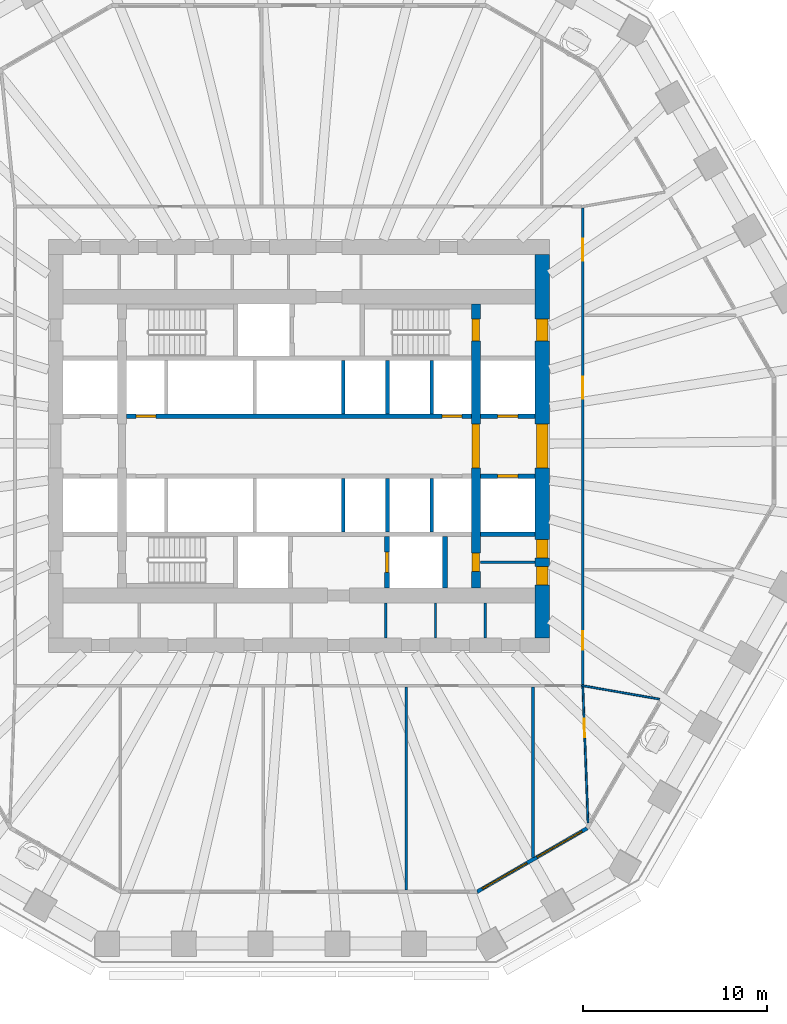
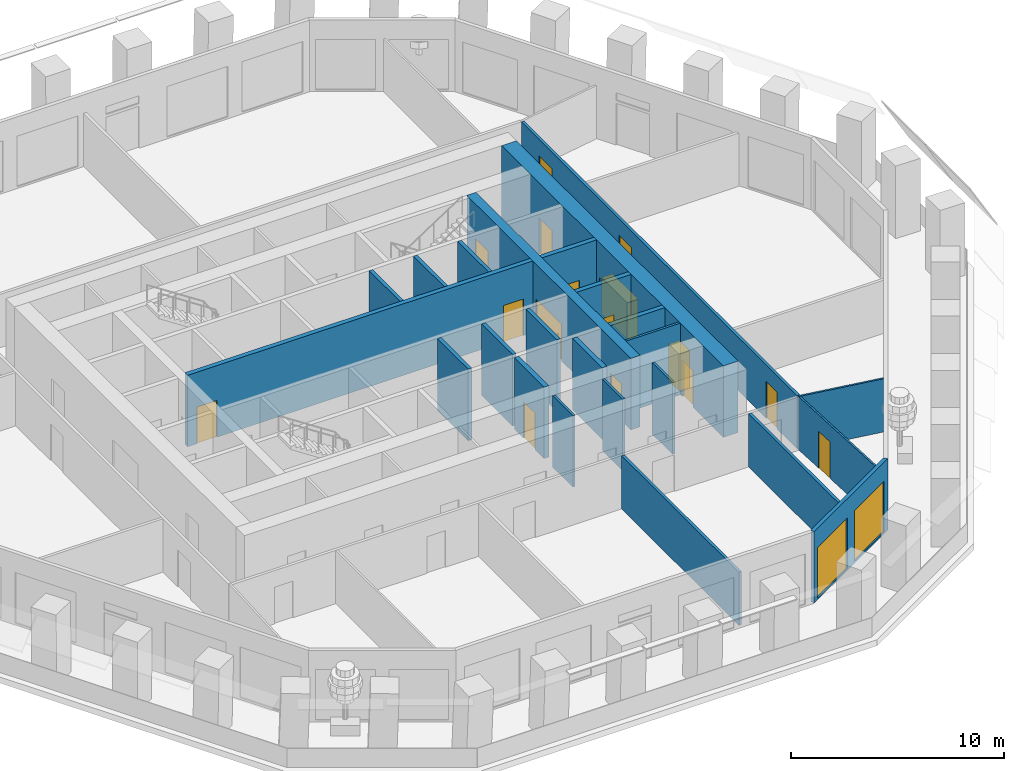
# One storey, part 5 of 12: 24 walls, 16 doors, 2 windows, 18 openings.
"""IFC4 building model written with IfcOpenShell, lengths in metres."""

from ifc_helpers import new_model, si_unit, direction, frame, frame_2d, origin, place, context, subcontext, project, spatial, polyline, rectangle, outline, extrude, material, layer, layer_set, type_object, element, fill, save


model = new_model("IFC4")

# Units and contexts
model_context = context("Model", 3, precision=1e-05, world=origin(), true_north=direction((0.0, 1.0)))
body_context = subcontext(model_context, "Body", "Model", "MODEL_VIEW")
ifc_project = project(units=[si_unit("LENGTHUNIT", "METRE"), si_unit("AREAUNIT", "SQUARE_METRE"), si_unit("VOLUMEUNIT", "CUBIC_METRE"), si_unit("PLANEANGLEUNIT", "RADIAN"), si_unit("MASSUNIT", "GRAM", prefix="KILO")], contexts=[model_context])

# Site, building, storey
site_placement = place(None, origin())
site = spatial("IfcSite", under=ifc_project, at=site_placement, CompositionType="ELEMENT")
building_placement = place(site_placement, origin())
building = spatial("IfcBuilding", under=site, at=building_placement, Name="Frailejon Research Tower", CompositionType="ELEMENT")
storey_placement = place(building_placement, frame((0.0, 0.0, 89.60009765625)))
storey = spatial("IfcBuildingStorey", under=building, at=storey_placement, Name="L19", CompositionType="ELEMENT", Elevation=89.60009765625)

# Walls
ifc_material_1 = material(Name="Plasterboard on steel studs", Category="steel")
ifc_layer_1 = layer(ifc_material_1, 0.125)
ifc_layer_set_1 = layer_set([ifc_layer_1], Name="Core partition 125")
wall_type_1 = type_object("IfcWallType", Name="Core partition 125", PredefinedType="PARTITIONING", material=ifc_layer_set_1)
wall_1_placement = place(storey_placement, frame((9.85009765625, -6.300048828125, 0.0), z_axis=(0.0, 0.0, 1.0), x_axis=(1.0, 0.0, 0.0)))
element("IfcWall", 1, at=wall_1_placement, inside=storey, type_object=wall_type_1, Name="Core partition", PredefinedType="PARTITIONING", context=body_context, shape_type="SweptSolid", body=[
    extrude(rectangle(XDim=2.949951171875, YDim=0.125, at=frame_2d((1.47509765625, 0.0))), origin(), (0.0, 0.0, 1.0), 4.099853515625),
])
for number, where, z_axis, x_axis, name in (
    (2, (4.71240234375, -10.39990234375, 0.0), (0.0, 0.0, 1.0), (0.0, 1.0, 0.0), "Core partition"),
    (3, (7.408203125, -10.39990234375, 0.0), (0.0, 0.0, 1.0), (0.0, 1.0, 0.0), "Core partition"),
    (4, (10.104248046875, -10.39990234375, 0.0), (0.0, 0.0, 1.0), (0.0, 1.0, 0.0), "Core partition"),
):
    element("IfcWall", number, at=place(storey_placement, frame(where, z_axis=z_axis, x_axis=x_axis)), inside=storey, type_object=wall_type_1, Name=name, PredefinedType="PARTITIONING", context=body_context, shape_type="SweptSolid", body=[
        extrude(rectangle(XDim=1.89990234375, YDim=0.125, at=frame_2d((0.949951171875, 0.0))), origin(), (0.0, 0.0, 1.0), 4.099853515625),
    ])

# Wall, openings, doors
ifc_material_2 = material(Name="Concrete C70/85", Category="concrete")
ifc_layer_2 = layer(ifc_material_2, 0.5)
ifc_layer_set_2 = layer_set([ifc_layer_2], Name="Core shear wall 500 C70/85")
wall_type_2 = type_object("IfcWallType", Name="Core shear wall 500 C70/85", PredefinedType="SHEAR", material=ifc_layer_set_2)
wall_2_placement = place(storey_placement, frame((9.60009765625, -7.699951171875, 0.0), z_axis=(0.0, 0.0, 1.0), x_axis=(0.0, 1.0, 0.0)))
wall_2 = element("IfcWall", 5, at=wall_2_placement, inside=storey, type_object=wall_type_2, Name="Core shear wall", PredefinedType="SHEAR", context=body_context, shape_type="SweptSolid", body=[
    extrude(rectangle(XDim=15.39990234375, YDim=0.5, at=frame_2d((7.699951171875, 0.0))), origin(), (0.0, 0.0, 1.0), 4.099853515625),
])
opening_1_placement = place(wall_2_placement, frame((6.5, 0.0, 0.0)))
opening_1 = element("IfcOpeningElement", 6, at=opening_1_placement, cuts=wall_2, Name="Opening D2", PredefinedType="OPENING", context=body_context, shape_type="SweptSolid", body=[
    extrude(rectangle(XDim=2.39990234375, YDim=2.10009765625, at=frame_2d((1.199951171875, 1.050048828125))), frame((0.0, 0.260009765625, 0.0), z_axis=(0.0, -1.0, 0.0), x_axis=(1.0, 0.0, 0.0)), (0.0, 0.0, 1.0), 0.52001953125),
])
opening_2_placement = place(wall_2_placement, frame((13.39990234375, 0.0, 0.0)))
opening_2 = element("IfcOpeningElement", 7, at=opening_2_placement, cuts=wall_2, Name="Opening D1", PredefinedType="OPENING", context=body_context, shape_type="SweptSolid", body=[
    extrude(rectangle(XDim=1.199951171875, YDim=2.10009765625, at=frame_2d((0.60009765625, 1.050048828125))), frame((0.0, 0.260009765625, 0.0), z_axis=(0.0, -1.0, 0.0), x_axis=(1.0, 0.0, 0.0)), (0.0, 0.0, 1.0), 0.52001953125),
])
opening_3_placement = place(wall_2_placement, frame((0.89990234375, 0.0, 0.0)))
opening_3 = element("IfcOpeningElement", 8, at=opening_3_placement, cuts=wall_2, Name="Opening D4", PredefinedType="OPENING", context=body_context, shape_type="SweptSolid", body=[
    extrude(rectangle(XDim=1.0, YDim=2.10009765625, at=frame_2d((0.5, 1.050048828125))), frame((0.0, 0.260009765625, 0.0), z_axis=(0.0, -1.0, 0.0), x_axis=(1.0, 0.0, 0.0)), (0.0, 0.0, 1.0), 0.52001953125),
])
ifc_material_3 = material(Name="Steel", Category="steel")
door_type_1 = type_object("IfcDoorType", Name="Lobby double door", OperationType="DOUBLE_DOOR_SINGLE_SWING", PredefinedType="DOOR", material=ifc_material_3)
door_1_placement = place(opening_1_placement, origin())
door_1 = element("IfcDoor", 9, at=door_1_placement, inside=storey, type_object=door_type_1, Name="Lobby door", OperationType="DOUBLE_DOOR_SINGLE_SWING", OverallHeight=2.10009765625, OverallWidth=2.39990234375, PredefinedType="DOOR", context=body_context, shape_type="SweptSolid", body=[
    extrude(rectangle(XDim=2.39990234375, YDim=2.10009765625, at=frame_2d((1.199951171875, 1.050048828125))), frame((0.0, 0.199951171875, 0.0), z_axis=(0.0, -1.0, 0.0), x_axis=(1.0, 0.0, 0.0)), (0.0, 0.0, 1.0), 0.39990234375),
])
fill(opening_1, door_1)
ifc_material_4 = material(Name="Steel", Category="steel")
door_type_2 = type_object("IfcDoorType", Name="Service door", OperationType="SINGLE_SWING_LEFT", PredefinedType="DOOR", material=ifc_material_4)
door_2_placement = place(opening_3_placement, origin())
door_2 = element("IfcDoor", 10, at=door_2_placement, inside=storey, type_object=door_type_2, Name="Riser door", OperationType="SINGLE_SWING_LEFT", OverallHeight=2.10009765625, OverallWidth=1.0, PredefinedType="DOOR", context=body_context, shape_type="SweptSolid", body=[
    extrude(rectangle(XDim=1.0, YDim=2.10009765625, at=frame_2d((0.5, 1.050048828125))), frame((0.0, 0.199951171875, 0.0), z_axis=(0.0, -1.0, 0.0), x_axis=(1.0, 0.0, 0.0)), (0.0, 0.0, 1.0), 0.39990234375),
])
fill(opening_3, door_2)
ifc_material_5 = material(Name="Steel", Category="steel")
door_type_3 = type_object("IfcDoorType", Name="Stair door", OperationType="SINGLE_SWING_LEFT", PredefinedType="DOOR", material=ifc_material_5)
door_3_placement = place(opening_2_placement, origin())
door_3 = element("IfcDoor", 11, at=door_3_placement, inside=storey, type_object=door_type_3, Name="Stair door ST3", OperationType="SINGLE_SWING_LEFT", OverallHeight=2.10009765625, OverallWidth=1.199951171875, PredefinedType="DOOR", context=body_context, shape_type="SweptSolid", body=[
    extrude(rectangle(XDim=1.199951171875, YDim=2.10009765625, at=frame_2d((0.60009765625, 1.050048828125))), frame((0.0, 0.199951171875, 0.0), z_axis=(0.0, -1.0, 0.0), x_axis=(1.0, 0.0, 0.0)), (0.0, 0.0, 1.0), 0.39990234375),
])
fill(opening_2, door_3)

ifc_material_6 = material(Name="Concrete C70/85", Category="concrete")
ifc_layer_3 = layer(ifc_material_6, 0.800048828125)
ifc_layer_set_3 = layer_set([ifc_layer_3], Name="Core shear wall 800 C70/85")
wall_type_3 = type_object("IfcWallType", Name="Core shear wall 800 C70/85", PredefinedType="SHEAR", material=ifc_layer_set_3)
wall_3_placement = place(storey_placement, frame((13.199951171875, -10.39990234375, 0.0), z_axis=(0.0, 0.0, 1.0), x_axis=(0.0, 1.0, 0.0)))
wall_3 = element("IfcWall", 12, at=wall_3_placement, inside=storey, type_object=wall_type_3, Name="Core shear wall", PredefinedType="SHEAR", context=body_context, shape_type="SweptSolid", body=[
    extrude(rectangle(XDim=20.7998046875, YDim=0.800048828125, at=frame_2d((10.39990234375, 0.0))), origin(), (0.0, 0.0, 1.0), 4.099853515625),
])
opening_4_placement = place(wall_3_placement, frame((9.199951171875, 0.0, 0.0)))
opening_4 = element("IfcOpeningElement", 13, at=opening_4_placement, cuts=wall_3, Name="Opening D2", PredefinedType="OPENING", context=body_context, shape_type="SweptSolid", body=[
    extrude(rectangle(XDim=2.39990234375, YDim=2.10009765625, at=frame_2d((1.199951171875, 1.050048828125))), frame((0.0, 0.409912109375, 0.0), z_axis=(0.0, -1.0, 0.0), x_axis=(1.0, 0.0, 0.0)), (0.0, 0.0, 1.0), 0.820068359375),
])
opening_5_placement = place(wall_3_placement, frame((16.10009765625, 0.0, 0.0)))
opening_5 = element("IfcOpeningElement", 14, at=opening_5_placement, cuts=wall_3, Name="Opening D7", PredefinedType="OPENING", context=body_context, shape_type="SweptSolid", body=[
    extrude(rectangle(XDim=1.199951171875, YDim=2.10009765625, at=frame_2d((0.60009765625, 1.050048828125))), frame((0.0, 0.409912109375, 0.0), z_axis=(0.0, -1.0, 0.0), x_axis=(1.0, 0.0, 0.0)), (0.0, 0.0, 1.0), 0.820068359375),
])
opening_6_placement = place(wall_3_placement, frame((2.868896484375, 0.0, 0.0)))
opening_6 = element("IfcOpeningElement", 15, at=opening_6_placement, cuts=wall_3, Name="Opening D4", PredefinedType="OPENING", context=body_context, shape_type="SweptSolid", body=[
    extrude(rectangle(XDim=1.0, YDim=2.10009765625, at=frame_2d((0.5, 1.050048828125))), frame((0.0, 0.409912109375, 0.0), z_axis=(0.0, -1.0, 0.0), x_axis=(1.0, 0.0, 0.0)), (0.0, 0.0, 1.0), 0.820068359375),
])
opening_7_placement = place(wall_3_placement, frame((4.331298828125, 0.0, 0.0)))
opening_7 = element("IfcOpeningElement", 16, at=opening_7_placement, cuts=wall_3, Name="Opening D4", PredefinedType="OPENING", context=body_context, shape_type="SweptSolid", body=[
    extrude(rectangle(XDim=1.0, YDim=2.10009765625, at=frame_2d((0.5, 1.050048828125))), frame((0.0, 0.409912109375, 0.0), z_axis=(0.0, -1.0, 0.0), x_axis=(1.0, 0.0, 0.0)), (0.0, 0.0, 1.0), 0.820068359375),
])
door_4_placement = place(opening_4_placement, origin())
door_4 = element("IfcDoor", 17, at=door_4_placement, inside=storey, type_object=door_type_1, Name="Lobby door", OperationType="DOUBLE_DOOR_SINGLE_SWING", OverallHeight=2.10009765625, OverallWidth=2.39990234375, PredefinedType="DOOR", context=body_context, shape_type="SweptSolid", body=[
    extrude(rectangle(XDim=2.39990234375, YDim=2.10009765625, at=frame_2d((1.199951171875, 1.050048828125))), frame((0.0, 0.300048828125, 0.0), z_axis=(0.0, -1.0, 0.0), x_axis=(1.0, 0.0, 0.0)), (0.0, 0.0, 1.0), 0.60009765625),
])
fill(opening_4, door_4)
door_5_placement = place(opening_6_placement, origin())
door_5 = element("IfcDoor", 18, at=door_5_placement, inside=storey, type_object=door_type_2, Name="Store door", OperationType="SINGLE_SWING_RIGHT", OverallHeight=2.10009765625, OverallWidth=1.0, PredefinedType="DOOR", context=body_context, shape_type="SweptSolid", body=[
    extrude(rectangle(XDim=1.0, YDim=2.10009765625, at=frame_2d((0.5, 1.050048828125))), frame((0.0, 0.300048828125, 0.0), z_axis=(0.0, -1.0, 0.0), x_axis=(1.0, 0.0, 0.0)), (0.0, 0.0, 1.0), 0.60009765625),
])
fill(opening_6, door_5)
door_6_placement = place(opening_7_placement, origin())
door_6 = element("IfcDoor", 19, at=door_6_placement, inside=storey, type_object=door_type_2, Name="Store door", OperationType="SINGLE_SWING_LEFT", OverallHeight=2.10009765625, OverallWidth=1.0, PredefinedType="DOOR", context=body_context, shape_type="SweptSolid", body=[
    extrude(rectangle(XDim=1.0, YDim=2.10009765625, at=frame_2d((0.5, 1.050048828125))), frame((0.0, 0.300048828125, 0.0), z_axis=(0.0, -1.0, 0.0), x_axis=(1.0, 0.0, 0.0)), (0.0, 0.0, 1.0), 0.60009765625),
])
fill(opening_7, door_6)
ifc_material_7 = material(Name="Steel", Category="steel")
door_type_4 = type_object("IfcDoorType", Name="Stair exit door", OperationType="SINGLE_SWING_LEFT", PredefinedType="DOOR", material=ifc_material_7)
door_7_placement = place(opening_5_placement, origin())
door_7 = element("IfcDoor", 20, at=door_7_placement, inside=storey, type_object=door_type_4, Name="Stair exit door ST3", OperationType="SINGLE_SWING_RIGHT", OverallHeight=2.10009765625, OverallWidth=1.199951171875, PredefinedType="DOOR", context=body_context, shape_type="SweptSolid", body=[
    extrude(rectangle(XDim=1.199951171875, YDim=2.10009765625, at=frame_2d((0.60009765625, 1.050048828125))), frame((0.0, 0.300048828125, 0.0), z_axis=(0.0, -1.0, 0.0), x_axis=(1.0, 0.0, 0.0)), (0.0, 0.0, 1.0), 0.60009765625),
])
fill(opening_5, door_7)

ifc_material_8 = material(Name="Gypsum board and masonry partition", Category="masonry")
ifc_layer_4 = layer(ifc_material_8, 0.14990234375)
ifc_layer_set_4 = layer_set([ifc_layer_4], Name="Corridor wall EI 60, gypsum on steel studs 150")
wall_type_4 = type_object("IfcWallType", Name="Corridor wall EI 60, gypsum on steel studs 150", PredefinedType="PARTITIONING", material=ifc_layer_set_4)
wall_4_placement = place(storey_placement, frame((15.39990234375, -12.925048828125, 0.0), z_axis=(0.0, 0.0, 1.0), x_axis=(0.0, 1.0, 0.0)))
wall_4 = element("IfcWall", 21, at=wall_4_placement, inside=storey, type_object=wall_type_4, Name="T:IW:L19:001", PredefinedType="PARTITIONING", context=body_context, shape_type="SweptSolid", body=[
    extrude(rectangle(XDim=25.85009765625, YDim=0.14990234375, at=frame_2d((12.925048828125, 0.0))), origin(), (0.0, 0.0, 1.0), 3.0498046875),
])
opening_8_placement = place(wall_4_placement, frame((15.49658203125, 0.0, 0.0)))
opening_8 = element("IfcOpeningElement", 22, at=opening_8_placement, cuts=wall_4, Name="Opening D1513", PredefinedType="OPENING", context=body_context, shape_type="SweptSolid", body=[
    extrude(rectangle(XDim=1.199951171875, YDim=2.10009765625, at=frame_2d((0.60009765625, 1.050048828125))), frame((0.0, 0.0849609375, 0.0), z_axis=(0.0, -1.0, 0.0), x_axis=(1.0, 0.0, 0.0)), (0.0, 0.0, 1.0), 0.169921875),
])
opening_9_placement = place(wall_4_placement, frame((22.974853515625, 0.0, 0.0)))
opening_9 = element("IfcOpeningElement", 23, at=opening_9_placement, cuts=wall_4, Name="Opening D1514", PredefinedType="OPENING", context=body_context, shape_type="SweptSolid", body=[
    extrude(rectangle(XDim=1.199951171875, YDim=2.10009765625, at=frame_2d((0.60009765625, 1.050048828125))), frame((0.0, 0.0849609375, 0.0), z_axis=(0.0, -1.0, 0.0), x_axis=(1.0, 0.0, 0.0)), (0.0, 0.0, 1.0), 0.169921875),
])
opening_10_placement = place(wall_4_placement, frame((1.880615234375, 0.0, 0.0)))
opening_10 = element("IfcOpeningElement", 24, at=opening_10_placement, cuts=wall_4, Name="Opening D1527", PredefinedType="OPENING", context=body_context, shape_type="SweptSolid", body=[
    extrude(rectangle(XDim=1.0, YDim=2.10009765625, at=frame_2d((0.5, 1.050048828125))), frame((0.0, 0.0849609375, 0.0), z_axis=(0.0, -1.0, 0.0), x_axis=(1.0, 0.0, 0.0)), (0.0, 0.0, 1.0), 0.169921875),
])
ifc_material_9 = material(Name="Timber door leaf", Category="wood")
door_type_5 = type_object("IfcDoorType", Name="Door laboratory, timber, vision panel 1200", OperationType="NOTDEFINED", PredefinedType="DOOR", material=ifc_material_9)
door_8_placement = place(opening_8_placement, origin())
door_8 = element("IfcDoor", 25, at=door_8_placement, inside=storey, type_object=door_type_5, Name="D1513", OperationType="DOUBLE_DOOR_SINGLE_SWING", OverallHeight=2.10009765625, OverallWidth=1.199951171875, PredefinedType="DOOR", context=body_context, shape_type="SweptSolid", body=[
    extrude(rectangle(XDim=1.199951171875, YDim=2.10009765625, at=frame_2d((0.60009765625, 1.050048828125))), frame((0.0, 0.02490234375, 0.0), z_axis=(0.0, -1.0, 0.0), x_axis=(1.0, 0.0, 0.0)), (0.0, 0.0, 1.0), 0.050048828125),
])
fill(opening_8, door_8)
ifc_material_10 = material(Name="Timber door leaf", Category="wood")
door_type_6 = type_object("IfcDoorType", Name="Door single leaf, timber, steel frame 1000", OperationType="NOTDEFINED", PredefinedType="DOOR", material=ifc_material_10)
door_9_placement = place(opening_10_placement, origin())
door_9 = element("IfcDoor", 26, at=door_9_placement, inside=storey, type_object=door_type_6, Name="D1527", OperationType="SINGLE_SWING_RIGHT", OverallHeight=2.10009765625, OverallWidth=1.0, PredefinedType="DOOR", context=body_context, shape_type="SweptSolid", body=[
    extrude(rectangle(XDim=1.0, YDim=2.10009765625, at=frame_2d((0.5, 1.050048828125))), frame((0.0, 0.02490234375, 0.0), z_axis=(0.0, -1.0, 0.0), x_axis=(1.0, 0.0, 0.0)), (0.0, 0.0, 1.0), 0.050048828125),
])
fill(opening_10, door_9)
ifc_material_11 = material(Name="Timber door leaf", Category="wood")
door_type_7 = type_object("IfcDoorType", Name="Door single leaf, timber, steel frame 1200", OperationType="NOTDEFINED", PredefinedType="DOOR", material=ifc_material_11)
door_10_placement = place(opening_9_placement, origin())
door_10 = element("IfcDoor", 27, at=door_10_placement, inside=storey, type_object=door_type_7, Name="D1514", OperationType="DOUBLE_DOOR_SINGLE_SWING", OverallHeight=2.10009765625, OverallWidth=1.199951171875, PredefinedType="DOOR", context=body_context, shape_type="SweptSolid", body=[
    extrude(rectangle(XDim=1.199951171875, YDim=2.10009765625, at=frame_2d((0.60009765625, 1.050048828125))), frame((0.0, 0.02490234375, 0.0), z_axis=(0.0, -1.0, 0.0), x_axis=(1.0, 0.0, 0.0)), (0.0, 0.0, 1.0), 0.050048828125),
])
fill(opening_9, door_10)

# Walls
ifc_material_12 = material(Name="Gypsum board and masonry partition", Category="masonry")
ifc_layer_5 = layer(ifc_material_12, 0.14990234375)
ifc_layer_set_5 = layer_set([ifc_layer_5], Name="Laboratory partition, blockwork 150")
wall_type_5 = type_object("IfcWallType", Name="Laboratory partition, blockwork 150", PredefinedType="PARTITIONING", material=ifc_layer_set_5)
wall_5_placement = place(storey_placement, frame((5.818115234375, -24.07666015625, 0.0), z_axis=(0.0, 0.0, 1.0), x_axis=(0.0, 1.0, 0.0)))
element("IfcWall", 28, at=wall_5_placement, inside=storey, type_object=wall_type_5, Name="T:IW:L19:012", PredefinedType="PARTITIONING", context=body_context, shape_type="SweptSolid", body=[
    extrude(rectangle(XDim=11.001708984375, YDim=0.14990234375, at=frame_2d((5.5009765625, 0.0))), origin(), (0.0, 0.0, 1.0), 3.0498046875),
])
wall_6_placement = place(storey_placement, frame((12.69677734375, -22.313720703125, 0.0), z_axis=(0.0, 0.0, 1.0), x_axis=(0.0, 1.0, 0.0)))
element("IfcWall", 29, at=wall_6_placement, inside=storey, type_object=wall_type_5, Name="T:IW:L19:013", PredefinedType="PARTITIONING", context=body_context, shape_type="SweptSolid", body=[
    extrude(rectangle(XDim=9.23876953125, YDim=0.14990234375, at=frame_2d((4.619384765625, 0.0))), origin(), (0.0, 0.0, 1.0), 3.0498046875),
])

# Wall, opening, door
ifc_material_13 = material(Name="Gypsum board and masonry partition", Category="masonry")
ifc_layer_6 = layer(ifc_material_13, 0.10009765625)
ifc_layer_set_6 = layer_set([ifc_layer_6], Name="Partition, gypsum on steel studs 100")
wall_type_6 = type_object("IfcWallType", Name="Partition, gypsum on steel studs 100", PredefinedType="PARTITIONING", material=ifc_layer_set_6)
wall_7_placement = place(storey_placement, frame((15.40185546875, -13.050048828125, 0.0), z_axis=(0.0, 0.0, 1.0), x_axis=(0.037980310701, -0.99927848771, 0.0)))
wall_7 = element("IfcWall", 30, at=wall_7_placement, inside=storey, type_object=wall_type_6, Name="T:IW:L19:018", PredefinedType="PARTITIONING", context=body_context, shape_type="SweptSolid", body=[
    extrude(rectangle(XDim=7.392333984375, YDim=0.10009765625, at=frame_2d((3.6962890625, 0.0))), origin(), (0.0, 0.0, 1.0), 3.0498046875),
])
opening_11_placement = place(wall_7_placement, frame((1.735595703125, 0.0, 0.0)))
opening_11 = element("IfcOpeningElement", 31, at=opening_11_placement, cuts=wall_7, Name="Opening D1526", PredefinedType="OPENING", context=body_context, shape_type="SweptSolid", body=[
    extrude(rectangle(XDim=1.0, YDim=2.10009765625, at=frame_2d((0.5, 1.050048828125))), frame((0.0, 0.06005859375, 0.0), z_axis=(0.0, -1.0, 0.0), x_axis=(1.0, 0.0, 0.0)), (0.0, 0.0, 1.0), 0.1201171875),
])
door_11_placement = place(opening_11_placement, origin())
door_11 = element("IfcDoor", 32, at=door_11_placement, inside=storey, type_object=door_type_6, Name="D1526", OperationType="SINGLE_SWING_RIGHT", OverallHeight=2.10009765625, OverallWidth=1.0, PredefinedType="DOOR", context=body_context, shape_type="SweptSolid", body=[
    extrude(rectangle(XDim=1.0, YDim=2.10009765625, at=frame_2d((0.5, 1.050048828125))), frame((0.0, 0.02490234375, 0.0), z_axis=(0.0, -1.0, 0.0), x_axis=(1.0, 0.0, 0.0)), (0.0, 0.0, 1.0), 0.050048828125),
])
fill(opening_11, door_11)

# Walls
wall_8_placement = place(storey_placement, frame((15.326171875, -12.987060546875, 0.0), z_axis=(0.0, 0.0, 1.0), x_axis=(0.985095547781, -0.172008028135, 0.0)))
element("IfcWall", 33, at=wall_8_placement, inside=storey, type_object=wall_type_6, Name="T:IW:L19:019", PredefinedType="PARTITIONING", context=body_context, shape_type="SweptSolid", body=[
    extrude(rectangle(XDim=4.294921875, YDim=0.10009765625, at=frame_2d((2.1474609375, 0.0))), origin(), (0.0, 0.0, 1.0), 3.0498046875),
])
ifc_material_14 = material(Name="Concrete C70/85", Category="concrete")
ifc_layer_7 = layer(ifc_material_14, 0.199951171875)
ifc_layer_set_7 = layer_set([ifc_layer_7], Name="Shaft wall 200 C70/85")
wall_type_7 = type_object("IfcWallType", Name="Shaft wall 200 C70/85", PredefinedType="SOLIDWALL", material=ifc_layer_set_7)
for number, where, z_axis, x_axis, name in (
    (34, (2.39990234375, 1.75, 0.0), (0.0, 0.0, 1.0), (0.0, 1.0, 0.0), "Shaft wall"),
    (35, (4.800048828125, 1.75, 0.0), (0.0, 0.0, 1.0), (0.0, 1.0, 0.0), "Shaft wall"),
    (36, (7.199951171875, 1.75, 0.0), (0.0, 0.0, 1.0), (0.0, 1.0, 0.0), "Shaft wall"),
    (37, (2.39990234375, -4.64990234375, 0.0), (0.0, 0.0, 1.0), (0.0, 1.0, 0.0), "Shaft wall"),
    (38, (4.800048828125, -4.64990234375, 0.0), (0.0, 0.0, 1.0), (0.0, 1.0, 0.0), "Shaft wall"),
    (39, (7.199951171875, -4.64990234375, 0.0), (0.0, 0.0, 1.0), (0.0, 1.0, 0.0), "Shaft wall"),
):
    element("IfcWall", number, at=place(storey_placement, frame(where, z_axis=z_axis, x_axis=x_axis)), inside=storey, type_object=wall_type_7, Name=name, PredefinedType="SOLIDWALL", context=body_context, shape_type="SweptSolid", body=[
        extrude(rectangle(XDim=2.89990234375, YDim=0.199951171875, at=frame_2d((1.449951171875, 0.0))), origin(), (0.0, 0.0, 1.0), 4.099853515625),
    ])

# Wall, openings, doors
ifc_material_15 = material(Name="Concrete C70/85", Category="concrete")
ifc_layer_8 = layer(ifc_material_15, 0.25)
ifc_layer_set_8 = layer_set([ifc_layer_8], Name="Shaft wall 250 C70/85")
wall_type_8 = type_object("IfcWallType", Name="Shaft wall 250 C70/85", PredefinedType="SOLIDWALL", material=ifc_layer_set_8)
wall_9_placement = place(storey_placement, frame((-9.35009765625, 1.625, 0.0), z_axis=(0.0, 0.0, 1.0), x_axis=(1.0, 0.0, 0.0)))
wall_9 = element("IfcWall", 40, at=wall_9_placement, inside=storey, type_object=wall_type_8, Name="Shaft wall", PredefinedType="SOLIDWALL", context=body_context, shape_type="SweptSolid", body=[
    extrude(rectangle(XDim=18.7001953125, YDim=0.25, at=frame_2d((9.35009765625, 0.0))), origin(), (0.0, 0.0, 1.0), 4.099853515625),
])
opening_12_placement = place(wall_9_placement, frame((0.5, 0.0, 0.0)))
opening_12 = element("IfcOpeningElement", 41, at=opening_12_placement, cuts=wall_9, Name="Opening LD", PredefinedType="OPENING", context=body_context, shape_type="SweptSolid", body=[
    extrude(rectangle(XDim=1.10009765625, YDim=2.10009765625, at=frame_2d((0.550048828125, 1.050048828125))), frame((0.0, 0.135009765625, 0.0), z_axis=(0.0, -1.0, 0.0), x_axis=(1.0, 0.0, 0.0)), (0.0, 0.0, 1.0), 0.27001953125),
])
opening_13_placement = place(wall_9_placement, frame((17.10009765625, 0.0, 0.0)))
opening_13 = element("IfcOpeningElement", 42, at=opening_13_placement, cuts=wall_9, Name="Opening LD", PredefinedType="OPENING", context=body_context, shape_type="SweptSolid", body=[
    extrude(rectangle(XDim=1.10009765625, YDim=2.10009765625, at=frame_2d((0.550048828125, 1.050048828125))), frame((0.0, 0.135009765625, 0.0), z_axis=(0.0, -1.0, 0.0), x_axis=(1.0, 0.0, 0.0)), (0.0, 0.0, 1.0), 0.27001953125),
])
ifc_material_16 = material(Name="Steel", Category="steel")
door_type_8 = type_object("IfcDoorType", Name="Lift landing door", OperationType="DOUBLE_DOOR_SLIDING", PredefinedType="DOOR", material=ifc_material_16)
door_12_placement = place(opening_12_placement, origin())
door_12 = element("IfcDoor", 43, at=door_12_placement, inside=storey, type_object=door_type_8, Name="Lift landing door", OperationType="DOUBLE_DOOR_SLIDING", OverallHeight=2.10009765625, OverallWidth=1.10009765625, PredefinedType="DOOR", context=body_context, shape_type="SweptSolid", body=[
    extrude(rectangle(XDim=1.10009765625, YDim=2.10009765625, at=frame_2d((0.550048828125, 1.050048828125))), frame((0.0, 0.074951171875, 0.0), z_axis=(0.0, -1.0, 0.0), x_axis=(1.0, 0.0, 0.0)), (0.0, 0.0, 1.0), 0.14990234375),
])
fill(opening_12, door_12)
door_13_placement = place(opening_13_placement, origin())
door_13 = element("IfcDoor", 44, at=door_13_placement, inside=storey, type_object=door_type_8, Name="Lift landing door", OperationType="DOUBLE_DOOR_SLIDING", OverallHeight=2.10009765625, OverallWidth=1.10009765625, PredefinedType="DOOR", context=body_context, shape_type="SweptSolid", body=[
    extrude(rectangle(XDim=1.10009765625, YDim=2.10009765625, at=frame_2d((0.550048828125, 1.050048828125))), frame((0.0, 0.074951171875, 0.0), z_axis=(0.0, -1.0, 0.0), x_axis=(1.0, 0.0, 0.0)), (0.0, 0.0, 1.0), 0.14990234375),
])
fill(opening_13, door_13)

# Wall, opening, door
wall_10_placement = place(storey_placement, frame((9.85009765625, 1.625, 0.0), z_axis=(0.0, 0.0, 1.0), x_axis=(1.0, 0.0, 0.0)))
wall_10 = element("IfcWall", 45, at=wall_10_placement, inside=storey, type_object=wall_type_8, Name="Shaft wall", PredefinedType="SOLIDWALL", context=body_context, shape_type="SweptSolid", body=[
    extrude(rectangle(XDim=2.949951171875, YDim=0.25, at=frame_2d((1.47509765625, 0.0))), origin(), (0.0, 0.0, 1.0), 4.099853515625),
])
opening_14_placement = place(wall_10_placement, frame((0.925048828125, 0.0, 0.0)))
opening_14 = element("IfcOpeningElement", 46, at=opening_14_placement, cuts=wall_10, Name="Opening LD", PredefinedType="OPENING", context=body_context, shape_type="SweptSolid", body=[
    extrude(rectangle(XDim=1.10009765625, YDim=2.10009765625, at=frame_2d((0.550048828125, 1.050048828125))), frame((0.0, 0.135009765625, 0.0), z_axis=(0.0, -1.0, 0.0), x_axis=(1.0, 0.0, 0.0)), (0.0, 0.0, 1.0), 0.27001953125),
])
door_14_placement = place(opening_14_placement, origin())
door_14 = element("IfcDoor", 47, at=door_14_placement, inside=storey, type_object=door_type_8, Name="Lift landing door", OperationType="DOUBLE_DOOR_SLIDING", OverallHeight=2.10009765625, OverallWidth=1.10009765625, PredefinedType="DOOR", context=body_context, shape_type="SweptSolid", body=[
    extrude(rectangle(XDim=1.10009765625, YDim=2.10009765625, at=frame_2d((0.550048828125, 1.050048828125))), frame((0.0, 0.074951171875, 0.0), z_axis=(0.0, -1.0, 0.0), x_axis=(1.0, 0.0, 0.0)), (0.0, 0.0, 1.0), 0.14990234375),
])
fill(opening_14, door_14)

wall_11_placement = place(storey_placement, frame((9.85009765625, -1.625, 0.0), z_axis=(0.0, 0.0, 1.0), x_axis=(1.0, 0.0, 0.0)))
wall_11 = element("IfcWall", 48, at=wall_11_placement, inside=storey, type_object=wall_type_8, Name="Shaft wall", PredefinedType="SOLIDWALL", context=body_context, shape_type="SweptSolid", body=[
    extrude(rectangle(XDim=2.949951171875, YDim=0.25, at=frame_2d((1.47509765625, 0.0))), origin(), (0.0, 0.0, 1.0), 4.099853515625),
])
opening_15_placement = place(wall_11_placement, frame((0.925048828125, 0.0, 0.0)))
opening_15 = element("IfcOpeningElement", 49, at=opening_15_placement, cuts=wall_11, Name="Opening LD", PredefinedType="OPENING", context=body_context, shape_type="SweptSolid", body=[
    extrude(rectangle(XDim=1.10009765625, YDim=2.10009765625, at=frame_2d((0.550048828125, 1.050048828125))), frame((0.0, 0.135009765625, 0.0), z_axis=(0.0, -1.0, 0.0), x_axis=(1.0, 0.0, 0.0)), (0.0, 0.0, 1.0), 0.27001953125),
])
door_15_placement = place(opening_15_placement, origin())
door_15 = element("IfcDoor", 50, at=door_15_placement, inside=storey, type_object=door_type_8, Name="Lift landing door", OperationType="DOUBLE_DOOR_SLIDING", OverallHeight=2.10009765625, OverallWidth=1.10009765625, PredefinedType="DOOR", context=body_context, shape_type="SweptSolid", body=[
    extrude(rectangle(XDim=1.10009765625, YDim=2.10009765625, at=frame_2d((0.550048828125, 1.050048828125))), frame((0.0, 0.074951171875, 0.0), z_axis=(0.0, -1.0, 0.0), x_axis=(1.0, 0.0, 0.0)), (0.0, 0.0, 1.0), 0.14990234375),
])
fill(opening_15, door_15)

# Wall
wall_12_placement = place(storey_placement, frame((9.85009765625, -4.77490234375, 0.0), z_axis=(0.0, 0.0, 1.0), x_axis=(1.0, 0.0, 0.0)))
element("IfcWall", 51, at=wall_12_placement, inside=storey, type_object=wall_type_8, Name="Shaft wall", PredefinedType="SOLIDWALL", context=body_context, shape_type="SweptSolid", body=[
    extrude(rectangle(XDim=2.949951171875, YDim=0.25, at=frame_2d((1.47509765625, 0.0))), origin(), (0.0, 0.0, 1.0), 4.099853515625),
])

# Wall, opening, door
wall_13_placement = place(storey_placement, frame((4.77490234375, -7.699951171875, 0.0), z_axis=(0.0, 0.0, 1.0), x_axis=(0.0, 1.0, 0.0)))
wall_13 = element("IfcWall", 52, at=wall_13_placement, inside=storey, type_object=wall_type_8, Name="Shaft wall", PredefinedType="SOLIDWALL", context=body_context, shape_type="SweptSolid", body=[
    extrude(rectangle(XDim=2.800048828125, YDim=0.25, at=frame_2d((1.39990234375, 0.0))), origin(), (0.0, 0.0, 1.0), 4.099853515625),
])
opening_16_placement = place(wall_13_placement, frame((0.85009765625, 0.0, 0.0)))
opening_16 = element("IfcOpeningElement", 53, at=opening_16_placement, cuts=wall_13, Name="Opening LD", PredefinedType="OPENING", context=body_context, shape_type="SweptSolid", body=[
    extrude(rectangle(XDim=1.10009765625, YDim=2.10009765625, at=frame_2d((0.550048828125, 1.050048828125))), frame((0.0, 0.135009765625, 0.0), z_axis=(0.0, -1.0, 0.0), x_axis=(1.0, 0.0, 0.0)), (0.0, 0.0, 1.0), 0.27001953125),
])
door_16_placement = place(opening_16_placement, origin())
door_16 = element("IfcDoor", 54, at=door_16_placement, inside=storey, type_object=door_type_8, Name="Lift landing door", OperationType="DOUBLE_DOOR_SLIDING", OverallHeight=2.10009765625, OverallWidth=1.10009765625, PredefinedType="DOOR", context=body_context, shape_type="SweptSolid", body=[
    extrude(rectangle(XDim=1.10009765625, YDim=2.10009765625, at=frame_2d((0.550048828125, 1.050048828125))), frame((0.0, 0.074951171875, 0.0), z_axis=(0.0, -1.0, 0.0), x_axis=(1.0, 0.0, 0.0)), (0.0, 0.0, 1.0), 0.14990234375),
])
fill(opening_16, door_16)

# Wall
wall_14_placement = place(storey_placement, frame((7.925048828125, -7.699951171875, 0.0), z_axis=(0.0, 0.0, 1.0), x_axis=(0.0, 1.0, 0.0)))
element("IfcWall", 55, at=wall_14_placement, inside=storey, type_object=wall_type_8, Name="Shaft wall", PredefinedType="SOLIDWALL", context=body_context, shape_type="SweptSolid", body=[
    extrude(rectangle(XDim=2.800048828125, YDim=0.25, at=frame_2d((1.39990234375, 0.0))), origin(), (0.0, 0.0, 1.0), 4.099853515625),
])

# Wall, openings, windows
ifc_material_17 = material(Name="Concrete C40/50 precast window wall panel", Category="concrete")
ifc_layer_9 = layer(ifc_material_17, 0.199951171875)
ifc_layer_set_9 = layer_set([ifc_layer_9], Name="Window wall 200")
wall_type_9 = type_object("IfcWallType", Name="Window wall 200", PredefinedType="SOLIDWALL", material=ifc_layer_set_9)
wall_15_placement = place(storey_placement, frame((9.669921875, -24.176513671875, 0.0), z_axis=(0.0, 0.0, 1.0), x_axis=(0.866029458321, 0.49999297727, 0.0)))
wall_15 = element("IfcWall", 56, at=wall_15_placement, inside=storey, type_object=wall_type_9, Name="Exterior wall L19", PredefinedType="SOLIDWALL", context=body_context, shape_type="SweptSolid", body=[
    extrude(outline(polyline([(-0.02685546875, -0.10009765625), (1.1279296875, -0.10009765625), (2.282470703125, -0.10009765625), (3.437255859375, -0.10009765625), (4.592041015625, -0.10009765625), (5.74658203125, -0.10009765625), (6.9013671875, -0.10009765625), (6.84765625, 0.10009765625), (5.7109375, 0.10009765625), (4.573974609375, 0.10009765625), (3.437255859375, 0.10009765625), (2.300537109375, 0.10009765625), (1.16357421875, 0.10009765625), (0.02685546875, 0.10009765625), (-0.02685546875, -0.10009765625)])), origin(), (0.0, 0.0, 1.0), 4.099853515625),
])
opening_17_placement = place(wall_15_placement, frame((0.318603515625, 0.0, 0.10009765625)))
opening_17 = element("IfcOpeningElement", 57, at=opening_17_placement, cuts=wall_15, Name="Opening W3", PredefinedType="OPENING", context=body_context, shape_type="SweptSolid", body=[
    extrude(rectangle(XDim=2.800048828125, YDim=2.89990234375, at=frame_2d((1.39990234375, 1.449951171875))), frame((0.0, 0.10986328125, 0.0), z_axis=(0.0, -1.0, 0.0), x_axis=(1.0, 0.0, 0.0)), (0.0, 0.0, 1.0), 0.219970703125),
])
opening_18_placement = place(wall_15_placement, frame((3.756103515625, 0.0, 0.10009765625)))
opening_18 = element("IfcOpeningElement", 58, at=opening_18_placement, cuts=wall_15, Name="Opening W3", PredefinedType="OPENING", context=body_context, shape_type="SweptSolid", body=[
    extrude(rectangle(XDim=2.800048828125, YDim=2.89990234375, at=frame_2d((1.39990234375, 1.449951171875))), frame((0.0, 0.10986328125, 0.0), z_axis=(0.0, -1.0, 0.0), x_axis=(1.0, 0.0, 0.0)), (0.0, 0.0, 1.0), 0.219970703125),
])
ifc_material_18 = material(Name="Aluminium framed double glazing", Category="aluminium")
window_type = type_object("IfcWindowType", Name="Window 2800x2900", PartitioningType="SINGLE_PANEL", PredefinedType="WINDOW", material=ifc_material_18)
window_1_placement = place(opening_17_placement, origin())
window_1 = element("IfcWindow", 59, at=window_1_placement, inside=storey, type_object=window_type, Name="Window L19", OverallHeight=2.89990234375, OverallWidth=2.800048828125, PartitioningType="SINGLE_PANEL", PredefinedType="WINDOW", context=body_context, shape_type="SweptSolid", body=[
    extrude(rectangle(XDim=2.800048828125, YDim=2.89990234375, at=frame_2d((1.39990234375, 1.449951171875))), frame((0.0, 0.030029296875, 0.0), z_axis=(0.0, -1.0, 0.0), x_axis=(1.0, 0.0, 0.0)), (0.0, 0.0, 1.0), 0.06005859375),
])
fill(opening_17, window_1)
window_2_placement = place(opening_18_placement, origin())
window_2 = element("IfcWindow", 60, at=window_2_placement, inside=storey, type_object=window_type, Name="Window L19", OverallHeight=2.89990234375, OverallWidth=2.800048828125, PartitioningType="SINGLE_PANEL", PredefinedType="WINDOW", context=body_context, shape_type="SweptSolid", body=[
    extrude(rectangle(XDim=2.800048828125, YDim=2.89990234375, at=frame_2d((1.39990234375, 1.449951171875))), frame((0.0, 0.030029296875, 0.0), z_axis=(0.0, -1.0, 0.0), x_axis=(1.0, 0.0, 0.0)), (0.0, 0.0, 1.0), 0.06005859375),
])
fill(opening_18, window_2)

save(model, "model.ifc")
